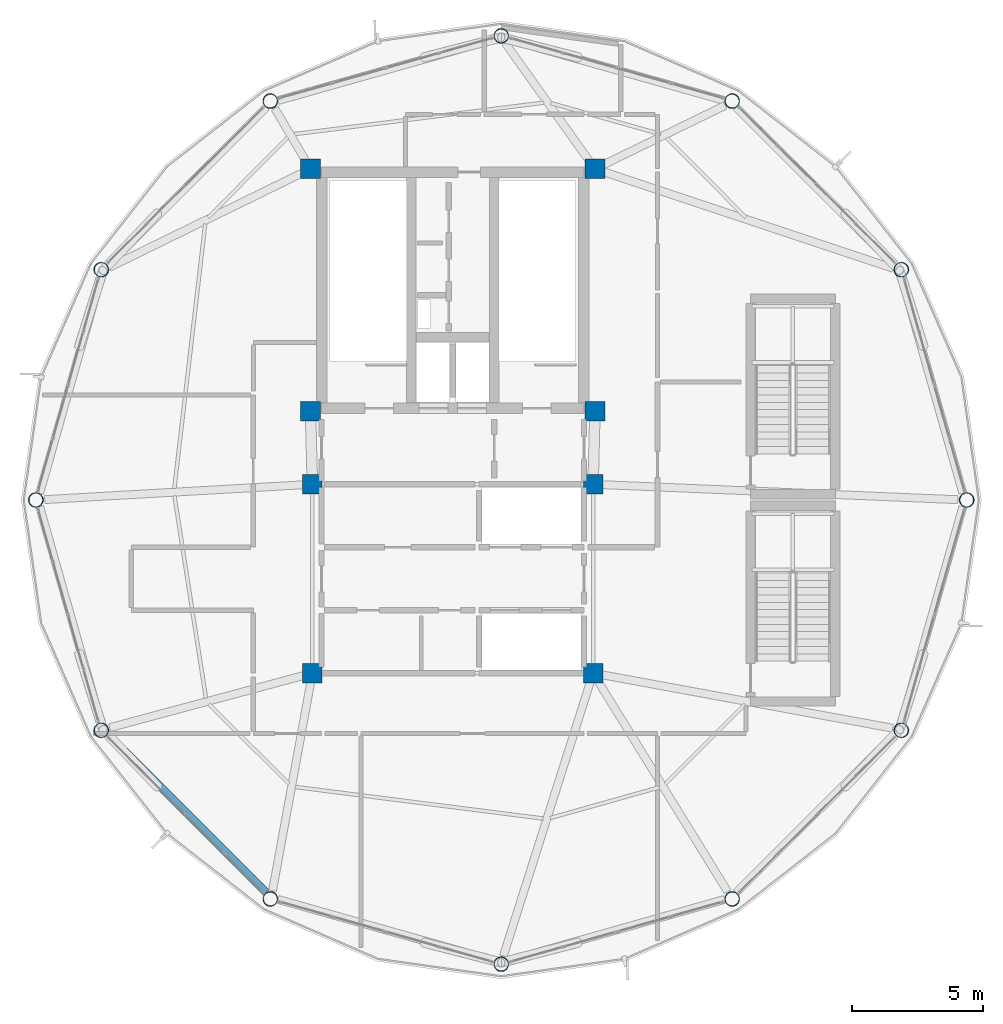
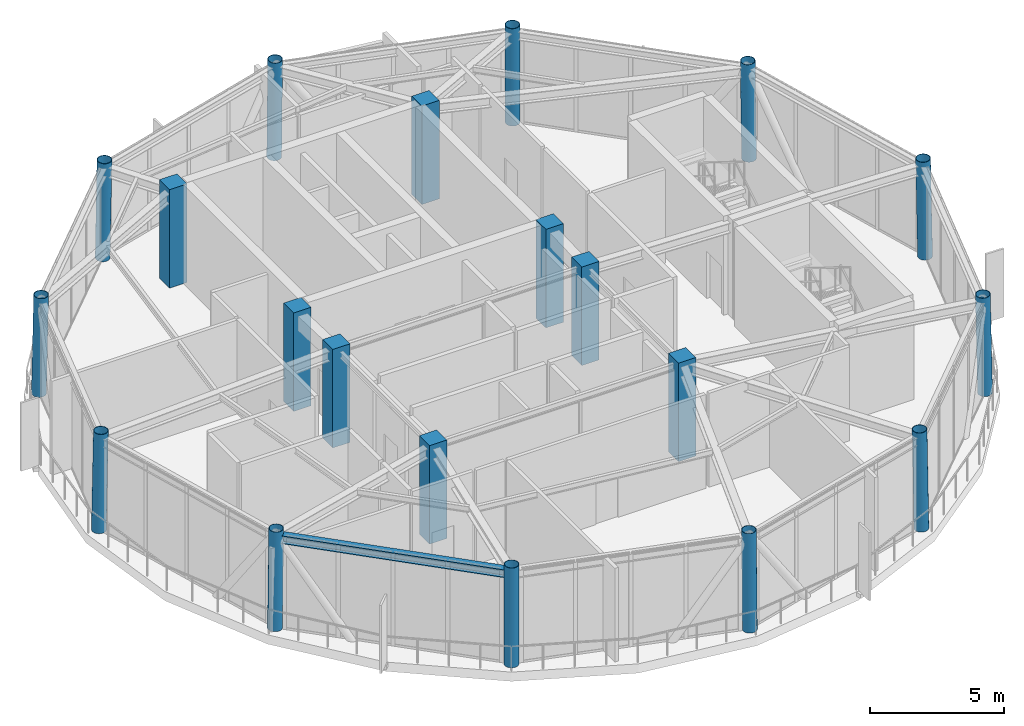
# One storey, part 1 of 26: 20 columns, 1 beam.
"""IFC4 building model written with IfcOpenShell, lengths in metres."""

from ifc_helpers import new_model, si_unit, direction, frame, origin, origin_2d, place, context, subcontext, project, spatial, rectangle, hollow_circle, i_section, extrude, material, material_profile, profile_set, type_object, element, save


model = new_model("IFC4")

# Units and contexts
model_context = context("Model", 3, precision=1e-05, world=origin(), true_north=direction((0.0, 1.0)))
body_context = subcontext(model_context, "Body", "Model", "MODEL_VIEW")
ifc_project = project(units=[si_unit("LENGTHUNIT", "METRE"), si_unit("AREAUNIT", "SQUARE_METRE"), si_unit("VOLUMEUNIT", "CUBIC_METRE"), si_unit("PLANEANGLEUNIT", "RADIAN"), si_unit("MASSUNIT", "GRAM", prefix="KILO")], contexts=[model_context])

# Site, building, storey
site_placement = place(None, origin())
site = spatial("IfcSite", under=ifc_project, at=site_placement, CompositionType="ELEMENT")
building_placement = place(site_placement, origin())
building = spatial("IfcBuilding", under=site, at=building_placement, Name="Varnakorn Sky Granary", CompositionType="ELEMENT")
storey_placement = place(building_placement, frame((0.0, 0.0, 289.5)))
storey = spatial("IfcBuildingStorey", under=building, at=storey_placement, Name="L74", CompositionType="ELEMENT", Elevation=289.5)

# Columns
ifc_material_1 = material(Name="Steel S460M", Category="steel")
ifc_material_profile_1 = material_profile(ifc_material_1, hollow_circle(Radius=0.279541015625, WallThickness=0.02001953125, at=origin_2d()), Name="CHS 559x20")
ifc_profile_set_1 = profile_set([ifc_material_profile_1], Name="Steel S460M")
column_type_1 = type_object("IfcColumnType", Name="COL-DC-Z5", PredefinedType="COLUMN", material=ifc_profile_set_1)
for number, where, z_axis, x_axis, name in (
    (1, (22.60009765625, 0.0, 0.0), (-0.019254476772, 0.0, 0.999814615378), (0.0, -1.0, 0.0), "Drum Perimeter Column DC01 L74"),
    (2, (20.10498046875, 8.782470703125, 0.0), (-0.016636565614, -0.007909186931, 0.999830320328), (0.429358789068, -0.903134004592, 0.0), "Drum Perimeter Column DC02 L74"),
    (3, (13.657470703125, 15.211669921875, 0.0), (-0.009600396052, -0.01374602162, 0.999859429763), (0.819842821722, -0.572588637393, 0.0), "Drum Perimeter Column DC03 L74"),
):
    element("IfcColumn", number, at=place(storey_placement, frame(where, z_axis=z_axis, x_axis=x_axis)), inside=storey, type_object=column_type_1, Name=name, PredefinedType="COLUMN", context=body_context, shape_type="SweptSolid", body=[
        extrude(hollow_circle(Radius=0.279541015625, WallThickness=0.02001953125, at=origin_2d()), origin(), (0.0, 0.0, 1.0), 4.475830078125),
    ])
column_1_placement = place(storey_placement, frame((4.85009765625, 17.699951171875, 0.0), z_axis=(0.0, -0.01587361352, 0.99987400626), x_axis=(1.0, 0.0, 0.0)))
element("IfcColumn", 4, at=column_1_placement, inside=storey, type_object=column_type_1, Name="Drum Perimeter Column DC04 L74", PredefinedType="COLUMN", context=body_context, shape_type="SweptSolid", body=[
    extrude(hollow_circle(Radius=0.279541015625, WallThickness=0.02001953125, at=origin_2d()), origin(), (0.0, 0.0, 1.0), 4.4755859375),
])
for number, where, z_axis, x_axis, name in (
    (5, (-3.95751953125, 15.211669921875, 0.0), (0.009600396052, -0.01374602162, 0.999859429763), (0.819842821722, 0.572588637393, 0.0), "Drum Perimeter Column DC05 L74"),
    (6, (-10.405029296875, 8.782470703125, 0.0), (0.016636565614, -0.007909186931, 0.999830320328), (0.429358789068, 0.903134004592, 0.0), "Drum Perimeter Column DC06 L74"),
    (7, (-12.89990234375, 0.0, 0.0), (0.019199951648, 0.0, 0.999815663938), (0.0, 1.0, 0.0), "Drum Perimeter Column DC07 L74"),
    (8, (-10.405029296875, -8.782470703125, 0.0), (0.016636565614, 0.007909186931, 0.999830320328), (-0.429358789068, 0.903134004592, 0.0), "Drum Perimeter Column DC08 L74"),
    (9, (-3.95751953125, -15.211669921875, 0.0), (0.009600396052, 0.01374602162, 0.999859429763), (-0.819842821722, 0.572588637393, 0.0), "Drum Perimeter Column DC09 L74"),
):
    element("IfcColumn", number, at=place(storey_placement, frame(where, z_axis=z_axis, x_axis=x_axis)), inside=storey, type_object=column_type_1, Name=name, PredefinedType="COLUMN", context=body_context, shape_type="SweptSolid", body=[
        extrude(hollow_circle(Radius=0.279541015625, WallThickness=0.02001953125, at=origin_2d()), origin(), (0.0, 0.0, 1.0), 4.475830078125),
    ])
column_2_placement = place(storey_placement, frame((4.85009765625, -17.699951171875, 0.0), z_axis=(0.0, 0.01587361352, 0.99987400626), x_axis=(-1.0, 0.0, 0.0)))
element("IfcColumn", 10, at=column_2_placement, inside=storey, type_object=column_type_1, Name="Drum Perimeter Column DC10 L74", PredefinedType="COLUMN", context=body_context, shape_type="SweptSolid", body=[
    extrude(hollow_circle(Radius=0.279541015625, WallThickness=0.02001953125, at=origin_2d()), origin(), (0.0, 0.0, 1.0), 4.4755859375),
])
for number, where, z_axis, x_axis, name in (
    (11, (13.657470703125, -15.211669921875, 0.0), (-0.009600396052, 0.01374602162, 0.999859429763), (-0.819842821722, -0.572588637393, 0.0), "Drum Perimeter Column DC11 L74"),
    (12, (20.10498046875, -8.782470703125, 0.0), (-0.016636565614, 0.007909186931, 0.999830320328), (-0.429358789068, -0.903134004592, 0.0), "Drum Perimeter Column DC12 L74"),
):
    element("IfcColumn", number, at=place(storey_placement, frame(where, z_axis=z_axis, x_axis=x_axis)), inside=storey, type_object=column_type_1, Name=name, PredefinedType="COLUMN", context=body_context, shape_type="SweptSolid", body=[
        extrude(hollow_circle(Radius=0.279541015625, WallThickness=0.02001953125, at=origin_2d()), origin(), (0.0, 0.0, 1.0), 4.475830078125),
    ])
ifc_material_2 = material(Name="Concrete C50/60", Category="concrete")
ifc_material_profile_2 = material_profile(ifc_material_2, rectangle(XDim=0.75, YDim=0.75, at=origin_2d()), Name="RC 750x750")
ifc_profile_set_2 = profile_set([ifc_material_profile_2], Name="Concrete C50/60")
column_type_2 = type_object("IfcColumnType", Name="COL-MC-Z5", PredefinedType="COLUMN", material=ifc_profile_set_2)
for number, where, z_axis, x_axis, name in (
    (13, (-2.419921875, 12.6201171875, 0.0), (0.0, 0.0, 1.0), (1.0, 0.0, 0.0), "Backbone Mega-Column MC1 L74"),
    (14, (8.419921875, 12.6201171875, 0.0), (0.0, 0.0, 1.0), (1.0, 0.0, 0.0), "Backbone Mega-Column MC2 L74"),
    (15, (-2.419921875, 3.3798828125, 0.0), (0.0, 0.0, 1.0), (1.0, 0.0, 0.0), "Backbone Mega-Column MC3 L74"),
    (16, (8.419921875, 3.3798828125, 0.0), (0.0, 0.0, 1.0), (1.0, 0.0, 0.0), "Backbone Mega-Column MC4 L74"),
    (17, (-2.35009765625, 0.60009765625, 0.0), (0.0, 0.0, 1.0), (1.0, 0.0, 0.0), "Backbone Mega-Column MC5 L74"),
    (18, (8.35009765625, 0.60009765625, 0.0), (0.0, 0.0, 1.0), (1.0, 0.0, 0.0), "Backbone Mega-Column MC6 L74"),
    (19, (-2.35009765625, -6.60009765625, 0.0), (0.0, 0.0, 1.0), (1.0, 0.0, 0.0), "Backbone Mega-Column MC7 L74"),
    (20, (8.35009765625, -6.60009765625, 0.0), (0.0, 0.0, 1.0), (1.0, 0.0, 0.0), "Backbone Mega-Column MC8 L74"),
):
    element("IfcColumn", number, at=place(storey_placement, frame(where, z_axis=z_axis, x_axis=x_axis)), inside=storey, type_object=column_type_2, Name=name, PredefinedType="COLUMN", context=body_context, shape_type="SweptSolid", body=[
        extrude(rectangle(XDim=0.75, YDim=0.75, at=origin_2d()), origin(), (0.0, 0.0, 1.0), 4.47509765625),
    ])

# Beam
ifc_material_3 = material(Name="Steel S355JR", Category="steel")
ifc_material_profile_3 = material_profile(ifc_material_3, i_section(OverallWidth=0.300048828125, OverallDepth=0.360107421875, WebThickness=0.012451171875, FlangeThickness=0.0224609375, at=origin_2d()), Name="HE 360 B")
ifc_profile_set_3 = profile_set([ifc_material_profile_3], Name="Steel S355JR")
beam_type = type_object("IfcBeamType", Name="BM-SPD-Z5", PredefinedType="SPANDREL", material=ifc_profile_set_3)
beam_placement = place(storey_placement, frame((-10.143310546875, -8.933837890625, 4.080078125), z_axis=(0.707807204834, -0.706405663048, 0.0), x_axis=(0.706405663048, 0.707807204834, 0.0)))
element("IfcBeam", 21, at=beam_placement, inside=storey, type_object=beam_type, Name="Perimeter Spandrel Ring Beam RB08 L74", PredefinedType="SPANDREL", context=body_context, shape_type="SweptSolid", body=[
    extrude(i_section(OverallWidth=0.300048828125, OverallDepth=0.360107421875, WebThickness=0.012451171875, FlangeThickness=0.0224609375, at=origin_2d()), origin(), (0.0, 0.0, 1.0), 8.535400390625),
])

save(model, "model.ifc")
